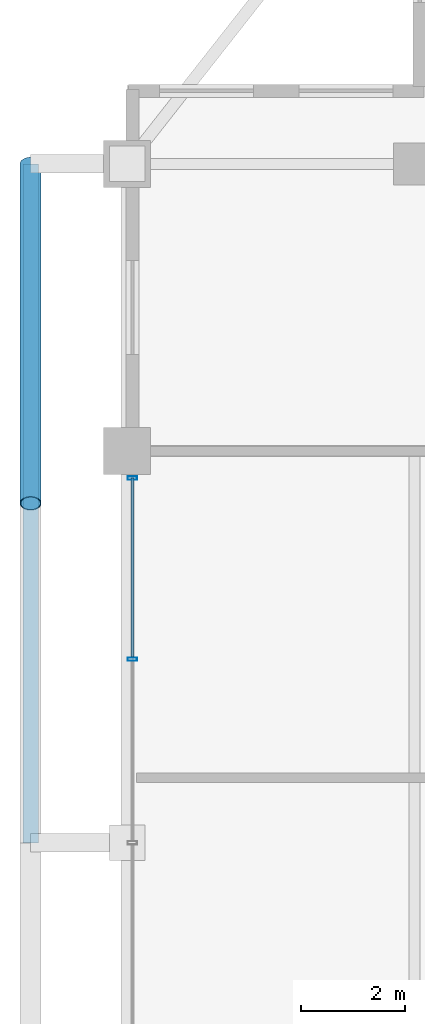
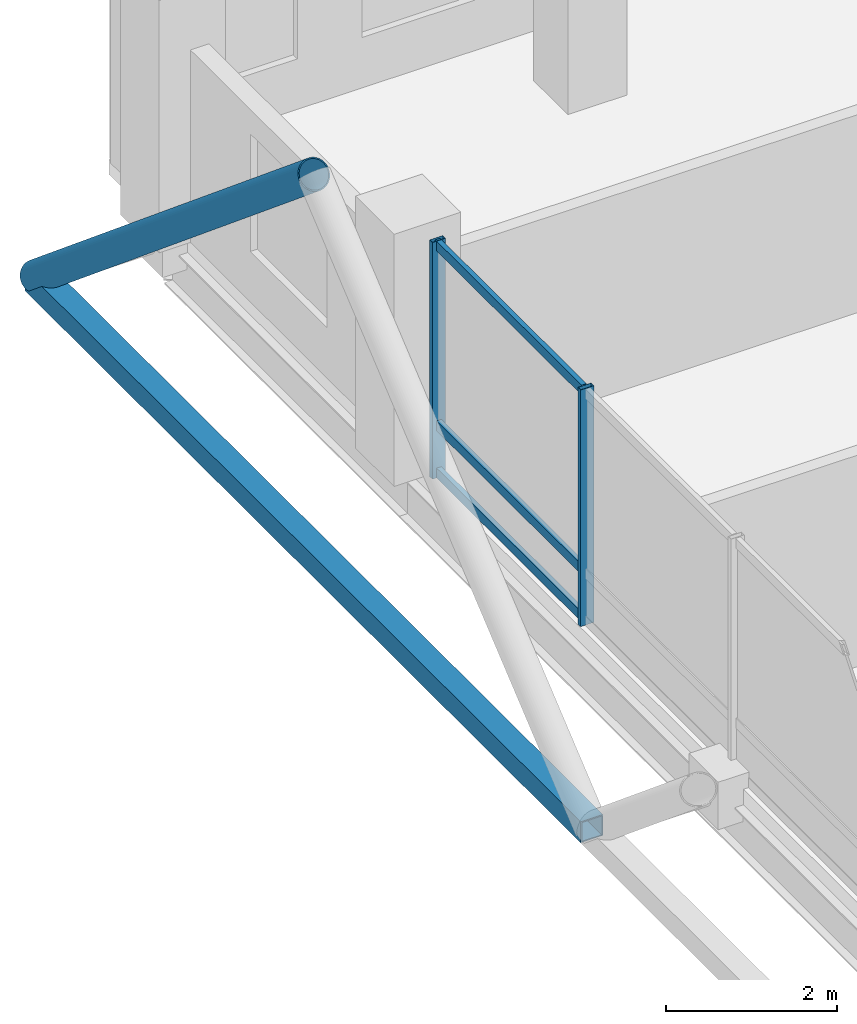
# One storey, part 10 of 24: 7 members, 1 element without a shape of its own.
"""IFC4 building model written with IfcOpenShell, lengths in metres."""

from ifc_helpers import new_model, si_unit, direction, frame, origin, origin_2d, place, context, subcontext, project, spatial, hollow_rectangle, hollow_circle, extrude, material, layer, layer_set, material_profile, profile_set, type_object, element, aggregate, save


model = new_model("IFC4")

# Units and contexts
model_context = context("Model", 3, precision=1e-05, world=origin(), true_north=direction((0.0, 1.0)))
body_context = subcontext(model_context, "Body", "Model", "MODEL_VIEW")
ifc_project = project(units=[si_unit("LENGTHUNIT", "METRE"), si_unit("AREAUNIT", "SQUARE_METRE"), si_unit("VOLUMEUNIT", "CUBIC_METRE"), si_unit("PLANEANGLEUNIT", "RADIAN"), si_unit("MASSUNIT", "GRAM", prefix="KILO")], contexts=[model_context])

# Site, building, storey
site_placement = place(None, origin())
site = spatial("IfcSite", under=ifc_project, at=site_placement, CompositionType="ELEMENT")
building_placement = place(site_placement, origin())
building = spatial("IfcBuilding", under=site, at=building_placement, Name="Barlavira Tower and Art Museum", CompositionType="ELEMENT")
storey_placement = place(building_placement, frame((0.0, 0.0, 283.5)))
storey = spatial("IfcBuildingStorey", under=building, at=storey_placement, Name="L74", CompositionType="ELEMENT", Elevation=283.5)

# Curtain wall, members
ifc_material_1 = material(Name="Low-iron coastal laminated glass", Category="glass")
ifc_layer = layer(ifc_material_1, 0.2099609375, Name="Low-iron coastal laminated glass")
ifc_layer_set = layer_set([ifc_layer], Name="Low-iron coastal laminated glass")
curtain_wall_type = type_object("IfcCurtainWallType", Name="Pale-Metal Unitised Curtain Wall Zone 4", PredefinedType="NOTDEFINED", material=ifc_layer_set)
curtain_wall_placement = place(storey_placement, origin())
curtain_wall = element("IfcCurtainWall", 1, at=curtain_wall_placement, inside=storey, type_object=curtain_wall_type, Name="L74 Curtain Wall CW4-L74-W-B3", PredefinedType="NOTDEFINED")
ifc_material_2 = material(Name="Pale anodised aluminium", Category="aluminium")
ifc_material_profile_1 = material_profile(ifc_material_2, hollow_rectangle(XDim=0.06494140625, YDim=0.179931640625, WallThickness=0.00390625, at=origin_2d()), Name="ALU-MULL 65x180x4")
ifc_profile_set_1 = profile_set([ifc_material_profile_1], Name="Pale anodised aluminium")
member_type_1 = type_object("IfcMemberType", Name="Curtain Wall Pale-Metal Mullion 65x180", PredefinedType="MULLION", material=ifc_profile_set_1)
member_1_placement = place(storey_placement, frame((-16.89990234375, 6.985107421875, 0.0), z_axis=(0.0, 0.0, 1.0), x_axis=(0.0, -1.0, 0.0)))
member_1 = element("IfcMember", 2, at=member_1_placement, type_object=member_type_1, Name="CW4-L74-W-B3 Mullion 0", PredefinedType="MULLION", context=body_context, shape_type="SweptSolid", body=[
    extrude(hollow_rectangle(XDim=0.06494140625, YDim=0.179931640625, WallThickness=0.00390625, at=origin_2d()), origin(), (0.0, 0.0, 1.0), 3.3798828125),
])
member_2_placement = place(storey_placement, frame((-16.89990234375, 3.514892578125, 0.0), z_axis=(0.0, 0.0, 1.0), x_axis=(0.0, -1.0, 0.0)))
member_2 = element("IfcMember", 3, at=member_2_placement, type_object=member_type_1, Name="CW4-L74-W-B3 Mullion 1", PredefinedType="MULLION", context=body_context, shape_type="SweptSolid", body=[
    extrude(hollow_rectangle(XDim=0.06494140625, YDim=0.179931640625, WallThickness=0.00390625, at=origin_2d()), origin(), (0.0, 0.0, 1.0), 3.3798828125),
])
ifc_material_profile_2 = material_profile(ifc_material_2, hollow_rectangle(XDim=0.06494140625, YDim=0.139892578125, WallThickness=0.00390625, at=origin_2d()), Name="ALU-TRAN 65x140x4")
ifc_profile_set_2 = profile_set([ifc_material_profile_2], Name="Pale anodised aluminium")
member_type_2 = type_object("IfcMemberType", Name="Curtain Wall Pale-Metal Transom 65x140", PredefinedType="USERDEFINED", material=ifc_profile_set_2)
member_3_placement = place(storey_placement, frame((-16.89990234375, 6.985107421875, 0.070068359375), z_axis=(0.0, -1.0, 0.0), x_axis=(1.0, 0.0, 0.0)))
member_3 = element("IfcMember", 4, at=member_3_placement, type_object=member_type_2, Name="CW4-L74-W-B3 Transom 0.1", ObjectType="TRANSOM", PredefinedType="USERDEFINED", context=body_context, shape_type="SweptSolid", body=[
    extrude(hollow_rectangle(XDim=0.06494140625, YDim=0.139892578125, WallThickness=0.00390625, at=origin_2d()), origin(), (0.0, 0.0, 1.0), 3.425048828125),
])
member_4_placement = place(storey_placement, frame((-16.89990234375, 6.985107421875, 0.743896484375), z_axis=(0.0, -1.0, 0.0), x_axis=(1.0, 0.0, 0.0)))
member_4 = element("IfcMember", 5, at=member_4_placement, type_object=member_type_2, Name="CW4-L74-W-B3 Transom 0.2", ObjectType="TRANSOM", PredefinedType="USERDEFINED", context=body_context, shape_type="SweptSolid", body=[
    extrude(hollow_rectangle(XDim=0.06494140625, YDim=0.139892578125, WallThickness=0.00390625, at=origin_2d()), origin(), (0.0, 0.0, 1.0), 3.425048828125),
])
member_5_placement = place(storey_placement, frame((-16.89990234375, 6.985107421875, 3.31005859375), z_axis=(0.0, -1.0, 0.0), x_axis=(1.0, 0.0, 0.0)))
member_5 = element("IfcMember", 6, at=member_5_placement, type_object=member_type_2, Name="CW4-L74-W-B3 Transom 0.3", ObjectType="TRANSOM", PredefinedType="USERDEFINED", context=body_context, shape_type="SweptSolid", body=[
    extrude(hollow_rectangle(XDim=0.06494140625, YDim=0.139892578125, WallThickness=0.00390625, at=origin_2d()), origin(), (0.0, 0.0, 1.0), 3.425048828125),
])
aggregate(curtain_wall, [member_1, member_2, member_3, member_4, member_5])

# Members
ifc_material_3 = material(Name="Steel S355", Category="steel")
ifc_material_profile_3 = material_profile(ifc_material_3, hollow_circle(Radius=0.203125, WallThickness=0.01611328125, at=origin_2d()), Name="CHS 406.4x16.0")
ifc_profile_set_3 = profile_set([ifc_material_profile_3], Name="Steel S355")
member_type_3 = type_object("IfcMemberType", Name="Pale-Metal Exoskeleton Diagrid Tube CHS 406x16 Steel S355", PredefinedType="BRACE", material=ifc_profile_set_3)
member_6_placement = place(storey_placement, frame((-18.85009765625, 13.0, -0.1201171875), z_axis=(0.0, -0.76918185268, 0.639029950399), x_axis=(1.0, 0.0, 0.0)))
element("IfcMember", 7, at=member_6_placement, inside=storey, type_object=member_type_3, Name="L74 Exoskeleton Diagrid Tube W", PredefinedType="BRACE", context=body_context, shape_type="SweptSolid", body=[
    extrude(hollow_circle(Radius=0.203125, WallThickness=0.01611328125, at=origin_2d()), origin(), (0.0, 0.0, 1.0), 8.450439453125),
])
ifc_material_profile_4 = material_profile(ifc_material_3, hollow_rectangle(XDim=0.300048828125, YDim=0.300048828125, WallThickness=0.01611328125, at=origin_2d()), Name="SHS 300x300x16.0")
ifc_profile_set_4 = profile_set([ifc_material_profile_4], Name="Steel S355")
member_type_4 = type_object("IfcMemberType", Name="Pale-Metal Upper Ring Strut SHS 300x300x16 Steel S355", PredefinedType="STRUT", material=ifc_profile_set_4)
member_7_placement = place(storey_placement, frame((-18.85009765625, 0.0, -0.1201171875), z_axis=(0.0, 1.0, 0.0), x_axis=(-1.0, 0.0, 0.0)))
element("IfcMember", 8, at=member_7_placement, inside=storey, type_object=member_type_4, Name="L74 Exoskeleton Ring Strut W", PredefinedType="STRUT", context=body_context, shape_type="SweptSolid", body=[
    extrude(hollow_rectangle(XDim=0.300048828125, YDim=0.300048828125, WallThickness=0.01611328125, at=origin_2d()), origin(), (0.0, 0.0, 1.0), 13.0),
])

save(model, "model.ifc")
